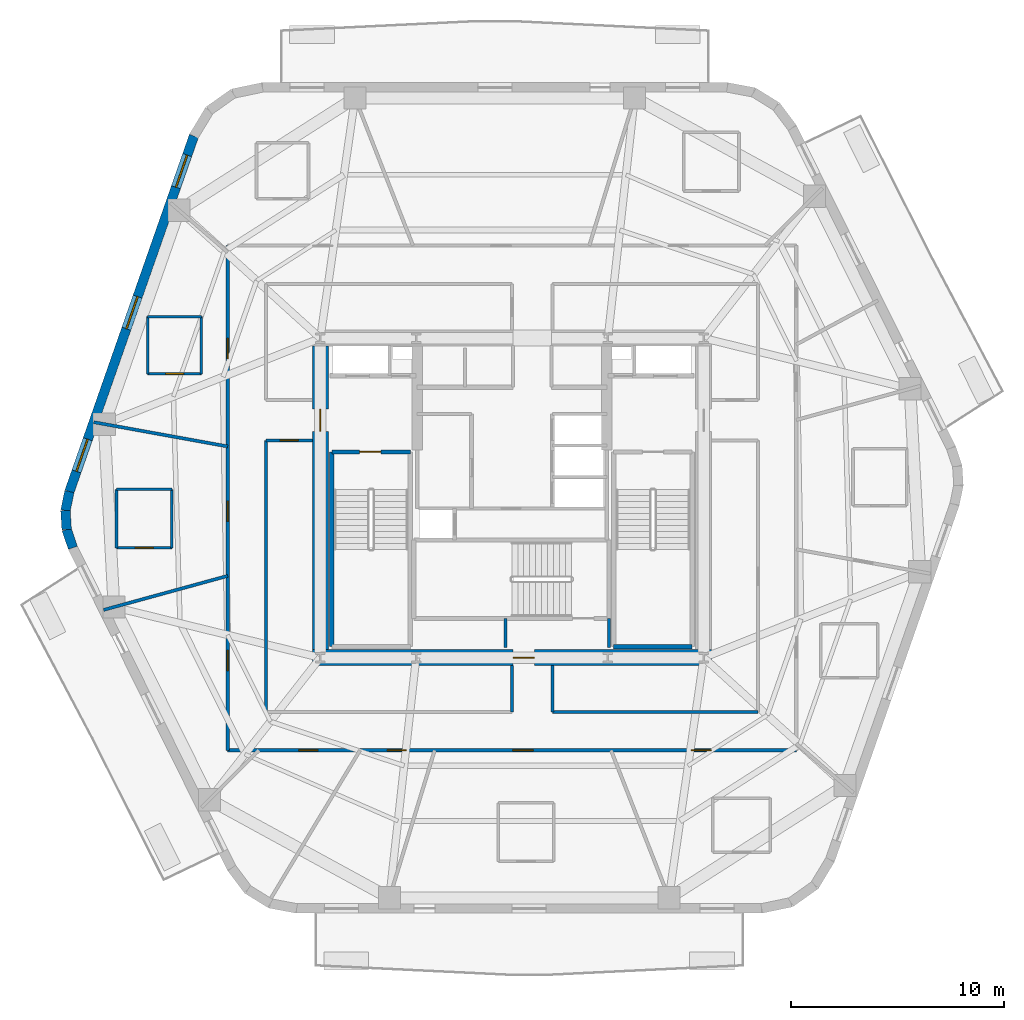
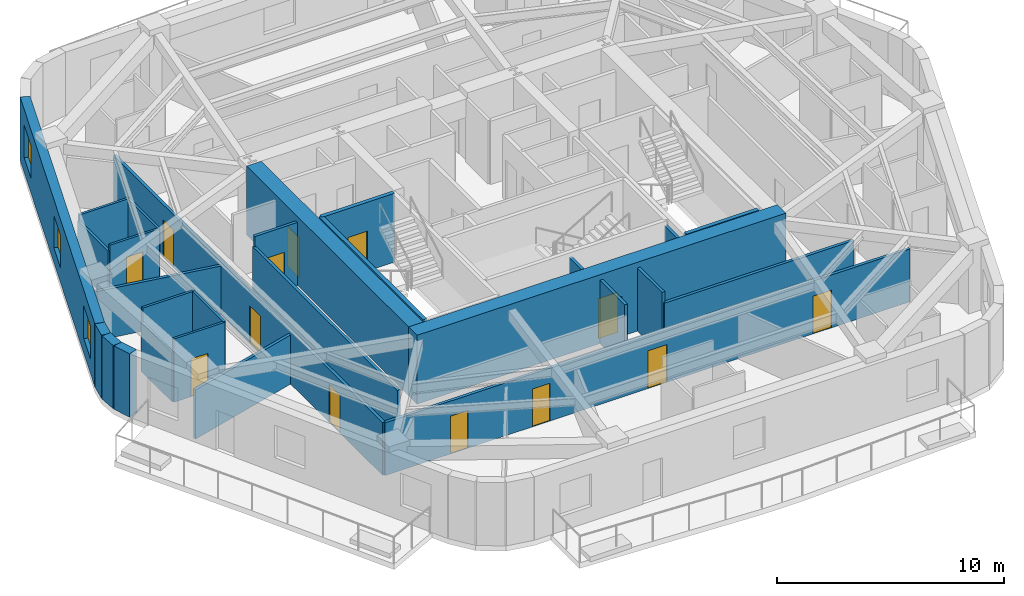
# One storey, part 3 of 10: 28 walls, 13 doors, 3 windows, 16 openings.
"""IFC4 building model written with IfcOpenShell, lengths in metres."""

from ifc_helpers import new_model, si_unit, direction, frame, frame_2d, origin, place, context, subcontext, project, spatial, rectangle, extrude, material, layer, layer_set, type_object, element, fill, save


model = new_model("IFC4")

# Units and contexts
model_context = context("Model", 3, precision=1e-05, world=origin(), true_north=direction((0.0, 1.0)))
body_context = subcontext(model_context, "Body", "Model", "MODEL_VIEW")
ifc_project = project(units=[si_unit("LENGTHUNIT", "METRE"), si_unit("AREAUNIT", "SQUARE_METRE"), si_unit("VOLUMEUNIT", "CUBIC_METRE"), si_unit("PLANEANGLEUNIT", "RADIAN"), si_unit("MASSUNIT", "GRAM", prefix="KILO")], contexts=[model_context])

# Site, building, storey
site_placement = place(None, origin())
site = spatial("IfcSite", under=ifc_project, at=site_placement, CompositionType="ELEMENT")
building_placement = place(site_placement, origin())
building = spatial("IfcBuilding", under=site, at=building_placement, Name="Kilnhurst Terrace Hotel", CompositionType="ELEMENT")
storey_placement = place(building_placement, frame((0.0, 0.0, 186.699951171875)))
storey = spatial("IfcBuildingStorey", under=building, at=storey_placement, Name="L46", CompositionType="ELEMENT", Elevation=186.699951171875)

# Walls
ifc_material_1 = material(Name="Precast concrete C40/50", Category="concrete")
ifc_layer_1 = layer(ifc_material_1, 0.449951171875, Name="Precast concrete C40/50")
ifc_layer_set_1 = layer_set([ifc_layer_1], Name="Precast concrete C40/50")
wall_type_1 = type_object("IfcWallType", Name="WL-BRK-450", PredefinedType="SOLIDWALL", material=ifc_layer_set_1)
wall_1_placement = place(storey_placement, frame((-20.78173828125, 0.298095703125, 0.0), z_axis=(0.0, 0.0, 1.0), x_axis=(-0.202570068411, -0.979267771033, 0.0)))
element("IfcWall", 1, at=wall_1_placement, inside=storey, type_object=wall_type_1, Name="L46 Rounded Corner Brick Wall C6.1", PredefinedType="SOLIDWALL", context=body_context, shape_type="SweptSolid", body=[
    extrude(rectangle(XDim=0.90869140625, YDim=0.449951171875, at=frame_2d((0.454345703125, 0.0))), origin(), (0.0, 0.0, 1.0), 3.400146484375),
])
wall_2_placement = place(storey_placement, frame((-20.9658203125, -0.591796875, 0.0), z_axis=(0.0, 0.0, 1.0), x_axis=(0.061748898935, -0.998091715966, 0.0)))
element("IfcWall", 2, at=wall_2_placement, inside=storey, type_object=wall_type_1, Name="L46 Rounded Corner Brick Wall C6.2", PredefinedType="SOLIDWALL", context=body_context, shape_type="SweptSolid", body=[
    extrude(rectangle(XDim=0.8935546875, YDim=0.449951171875, at=frame_2d((0.44677734375, 0.0))), origin(), (0.0, 0.0, 1.0), 3.400146484375),
])
wall_3_placement = place(storey_placement, frame((-20.91064453125, -1.483642578125, 0.0), z_axis=(0.0, 0.0, 1.0), x_axis=(0.321623334353, -0.946867694453, 0.0)))
element("IfcWall", 3, at=wall_3_placement, inside=storey, type_object=wall_type_1, Name="L46 Rounded Corner Brick Wall C6.3", PredefinedType="SOLIDWALL", context=body_context, shape_type="SweptSolid", body=[
    extrude(rectangle(XDim=0.90869140625, YDim=0.449951171875, at=frame_2d((0.454345703125, 0.0))), origin(), (0.0, 0.0, 1.0), 3.400146484375),
])

# Wall, openings, windows
wall_4_placement = place(storey_placement, frame((-14.936767578125, 16.993408203125, 0.0), z_axis=(0.0, 0.0, 1.0), x_axis=(-0.330431575061, -0.943829949834, 0.0)))
wall_4 = element("IfcWall", 4, at=wall_4_placement, inside=storey, type_object=wall_type_1, Name="L46 Exterior Brick Facade Wall F5", PredefinedType="SOLIDWALL", context=body_context, shape_type="SweptSolid", body=[
    extrude(rectangle(XDim=17.68896484375, YDim=0.449951171875, at=frame_2d((8.844482421875, 0.0))), origin(), (0.0, 0.0, 1.0), 3.400146484375),
])
opening_1_placement = place(wall_4_placement, frame((0.949951171875, 0.0, 0.800048828125)))
opening_1 = element("IfcOpeningElement", 5, at=opening_1_placement, cuts=wall_4, Name="Opening W-05", PredefinedType="OPENING", context=body_context, shape_type="SweptSolid", body=[
    extrude(rectangle(XDim=1.60009765625, YDim=1.75, at=frame_2d((0.800048828125, 0.875))), frame((0.0, 0.23486328125, 0.0), z_axis=(0.0, -1.0, 0.0), x_axis=(1.0, 0.0, 0.0)), (0.0, 0.0, 1.0), 0.469970703125),
])
opening_2_placement = place(wall_4_placement, frame((7.989990234375, 0.0, 0.800048828125)))
opening_2 = element("IfcOpeningElement", 6, at=opening_2_placement, cuts=wall_4, Name="Opening W-05", PredefinedType="OPENING", context=body_context, shape_type="SweptSolid", body=[
    extrude(rectangle(XDim=1.60009765625, YDim=1.75, at=frame_2d((0.800048828125, 0.875))), frame((0.0, 0.23486328125, 0.0), z_axis=(0.0, -1.0, 0.0), x_axis=(1.0, 0.0, 0.0)), (0.0, 0.0, 1.0), 0.469970703125),
])
opening_3_placement = place(wall_4_placement, frame((15.083984375, 0.0, 0.800048828125)))
opening_3 = element("IfcOpeningElement", 7, at=opening_3_placement, cuts=wall_4, Name="Opening W-05", PredefinedType="OPENING", context=body_context, shape_type="SweptSolid", body=[
    extrude(rectangle(XDim=1.60009765625, YDim=1.75, at=frame_2d((0.800048828125, 0.875))), frame((0.0, 0.23486328125, 0.0), z_axis=(0.0, -1.0, 0.0), x_axis=(1.0, 0.0, 0.0)), (0.0, 0.0, 1.0), 0.469970703125),
])
ifc_material_2 = material(Name="Thermally Broken Bronze Aluminium Alloy 6063-T6 and Low-E Glass", Category="aluminium")
window_type = type_object("IfcWindowType", Name="WIN-1600X1750", PartitioningType="SINGLE_PANEL", PredefinedType="WINDOW", material=ifc_material_2)
window_1_placement = place(opening_1_placement, origin())
window_1 = element("IfcWindow", 8, at=window_1_placement, inside=storey, type_object=window_type, Name="L46 Deep-Set Masonry Window F5.1", OverallHeight=1.75, OverallWidth=1.60009765625, PartitioningType="SINGLE_PANEL", PredefinedType="WINDOW", context=body_context, shape_type="SweptSolid", body=[
    extrude(rectangle(XDim=1.60009765625, YDim=1.75, at=frame_2d((0.800048828125, 0.875))), frame((0.0, 0.030029296875, 0.0), z_axis=(0.0, -1.0, 0.0), x_axis=(1.0, 0.0, 0.0)), (0.0, 0.0, 1.0), 0.06005859375),
])
fill(opening_1, window_1)
window_2_placement = place(opening_2_placement, origin())
window_2 = element("IfcWindow", 9, at=window_2_placement, inside=storey, type_object=window_type, Name="L46 Deep-Set Masonry Window F5.2", OverallHeight=1.75, OverallWidth=1.60009765625, PartitioningType="SINGLE_PANEL", PredefinedType="WINDOW", context=body_context, shape_type="SweptSolid", body=[
    extrude(rectangle(XDim=1.60009765625, YDim=1.75, at=frame_2d((0.800048828125, 0.875))), frame((0.0, 0.030029296875, 0.0), z_axis=(0.0, -1.0, 0.0), x_axis=(1.0, 0.0, 0.0)), (0.0, 0.0, 1.0), 0.06005859375),
])
fill(opening_2, window_2)
window_3_placement = place(opening_3_placement, origin())
window_3 = element("IfcWindow", 10, at=window_3_placement, inside=storey, type_object=window_type, Name="L46 Deep-Set Masonry Window F5.3", OverallHeight=1.75, OverallWidth=1.60009765625, PartitioningType="SINGLE_PANEL", PredefinedType="WINDOW", context=body_context, shape_type="SweptSolid", body=[
    extrude(rectangle(XDim=1.60009765625, YDim=1.75, at=frame_2d((0.800048828125, 0.875))), frame((0.0, 0.030029296875, 0.0), z_axis=(0.0, -1.0, 0.0), x_axis=(1.0, 0.0, 0.0)), (0.0, 0.0, 1.0), 0.06005859375),
])
fill(opening_3, window_3)

# Wall, openings, doors
ifc_material_3 = material(Name="Acoustic Double-Gypsum Corridor Partition Assembly")
ifc_layer_2 = layer(ifc_material_3, 0.14990234375, Name="Acoustic Double-Gypsum Corridor Partition Assembly")
ifc_layer_set_2 = layer_set([ifc_layer_2], Name="Acoustic Double-Gypsum Corridor Partition Assembly")
wall_type_2 = type_object("IfcWallType", Name="WL-COR-150", PredefinedType="PARTITIONING", material=ifc_layer_set_2)
wall_5_placement = place(storey_placement, frame((13.35009765625, -11.85009765625, 0.0), z_axis=(0.0, 0.0, 1.0), x_axis=(-1.0, 0.0, 0.0)))
wall_5 = element("IfcWall", 11, at=wall_5_placement, inside=storey, type_object=wall_type_2, Name="L46 Interior Wall WL-L46-COR-01", PredefinedType="PARTITIONING", context=body_context, shape_type="SweptSolid", body=[
    extrude(rectangle(XDim=26.7001953125, YDim=0.14990234375, at=frame_2d((13.35009765625, 0.0))), origin(), (0.0, 0.0, 1.0), 2.840087890625),
])
opening_4_placement = place(wall_5_placement, frame((22.458984375, 0.0, 0.0)))
opening_4 = element("IfcOpeningElement", 12, at=opening_4_placement, cuts=wall_5, Name="Opening D-60C", PredefinedType="OPENING", context=body_context, shape_type="SweptSolid", body=[
    extrude(rectangle(XDim=0.89990234375, YDim=2.030029296875, at=frame_2d((0.449951171875, 1.01513671875))), frame((0.0, 0.0849609375, 0.0), z_axis=(0.0, -1.0, 0.0), x_axis=(1.0, 0.0, 0.0)), (0.0, 0.0, 1.0), 0.169921875),
])
opening_5_placement = place(wall_5_placement, frame((18.303955078125, 0.0, 0.0)))
opening_5 = element("IfcOpeningElement", 13, at=opening_5_placement, cuts=wall_5, Name="Opening D-60C", PredefinedType="OPENING", context=body_context, shape_type="SweptSolid", body=[
    extrude(rectangle(XDim=0.89990234375, YDim=2.030029296875, at=frame_2d((0.449951171875, 1.01513671875))), frame((0.0, 0.0849609375, 0.0), z_axis=(0.0, -1.0, 0.0), x_axis=(1.0, 0.0, 0.0)), (0.0, 0.0, 1.0), 0.169921875),
])
opening_6_placement = place(wall_5_placement, frame((12.362060546875, 0.0, 0.0)))
opening_6 = element("IfcOpeningElement", 14, at=opening_6_placement, cuts=wall_5, Name="Opening D-60B", PredefinedType="OPENING", context=body_context, shape_type="SweptSolid", body=[
    extrude(rectangle(XDim=0.949951171875, YDim=2.030029296875, at=frame_2d((0.47509765625, 1.01513671875))), frame((0.0, 0.0849609375, 0.0), z_axis=(0.0, -1.0, 0.0), x_axis=(1.0, 0.0, 0.0)), (0.0, 0.0, 1.0), 0.169921875),
])
opening_7_placement = place(wall_5_placement, frame((3.9951171875, 0.0, 0.0)))
opening_7 = element("IfcOpeningElement", 15, at=opening_7_placement, cuts=wall_5, Name="Opening D-60B", PredefinedType="OPENING", context=body_context, shape_type="SweptSolid", body=[
    extrude(rectangle(XDim=0.949951171875, YDim=2.030029296875, at=frame_2d((0.47509765625, 1.01513671875))), frame((0.0, 0.0849609375, 0.0), z_axis=(0.0, -1.0, 0.0), x_axis=(1.0, 0.0, 0.0)), (0.0, 0.0, 1.0), 0.169921875),
])
ifc_material_4 = material(Name="Painted Solid-Core Service Fire Door")
door_type_1 = type_object("IfcDoorType", Name="DR-FD60-900", OperationType="NOTDEFINED", PredefinedType="DOOR", material=ifc_material_4)
door_1_placement = place(opening_4_placement, origin())
door_1 = element("IfcDoor", 16, at=door_1_placement, inside=storey, type_object=door_type_1, Name="L46 Botanical Reading Lounge Door 9", OperationType="SINGLE_SWING_LEFT", OverallHeight=2.030029296875, OverallWidth=0.89990234375, PredefinedType="DOOR", context=body_context, shape_type="SweptSolid", body=[
    extrude(rectangle(XDim=0.89990234375, YDim=2.030029296875, at=frame_2d((0.449951171875, 1.01513671875))), frame((0.0, 0.02490234375, 0.0), z_axis=(0.0, -1.0, 0.0), x_axis=(1.0, 0.0, 0.0)), (0.0, 0.0, 1.0), 0.050048828125),
])
fill(opening_4, door_1)
door_2_placement = place(opening_5_placement, origin())
door_2 = element("IfcDoor", 17, at=door_2_placement, inside=storey, type_object=door_type_1, Name="L46 Private Meeting Salon Door 10", OperationType="SINGLE_SWING_RIGHT", OverallHeight=2.030029296875, OverallWidth=0.89990234375, PredefinedType="DOOR", context=body_context, shape_type="SweptSolid", body=[
    extrude(rectangle(XDim=0.89990234375, YDim=2.030029296875, at=frame_2d((0.449951171875, 1.01513671875))), frame((0.0, 0.02490234375, 0.0), z_axis=(0.0, -1.0, 0.0), x_axis=(1.0, 0.0, 0.0)), (0.0, 0.0, 1.0), 0.050048828125),
])
fill(opening_5, door_2)
ifc_material_5 = material(Name="Acoustic Walnut Veneer Solid-Core Fire Door")
door_type_2 = type_object("IfcDoorType", Name="DR-FD60-950", OperationType="NOTDEFINED", PredefinedType="DOOR", material=ifc_material_5)
door_3_placement = place(opening_6_placement, origin())
door_3 = element("IfcDoor", 18, at=door_3_placement, inside=storey, type_object=door_type_2, Name="L46 Executive Suite Entry Door 11", OperationType="SINGLE_SWING_LEFT", OverallHeight=2.030029296875, OverallWidth=0.949951171875, PredefinedType="DOOR", context=body_context, shape_type="SweptSolid", body=[
    extrude(rectangle(XDim=0.949951171875, YDim=2.030029296875, at=frame_2d((0.47509765625, 1.01513671875))), frame((0.0, 0.02490234375, 0.0), z_axis=(0.0, -1.0, 0.0), x_axis=(1.0, 0.0, 0.0)), (0.0, 0.0, 1.0), 0.050048828125),
])
fill(opening_6, door_3)
door_4_placement = place(opening_7_placement, origin())
door_4 = element("IfcDoor", 19, at=door_4_placement, inside=storey, type_object=door_type_2, Name="L46 Executive Suite Entry Door 12", OperationType="SINGLE_SWING_RIGHT", OverallHeight=2.030029296875, OverallWidth=0.949951171875, PredefinedType="DOOR", context=body_context, shape_type="SweptSolid", body=[
    extrude(rectangle(XDim=0.949951171875, YDim=2.030029296875, at=frame_2d((0.47509765625, 1.01513671875))), frame((0.0, 0.02490234375, 0.0), z_axis=(0.0, -1.0, 0.0), x_axis=(1.0, 0.0, 0.0)), (0.0, 0.0, 1.0), 0.050048828125),
])
fill(opening_7, door_4)

wall_6_placement = place(storey_placement, frame((-13.35009765625, -11.85009765625, 0.0), z_axis=(0.0, 0.0, 1.0), x_axis=(0.0, 1.0, 0.0)))
wall_6 = element("IfcWall", 20, at=wall_6_placement, inside=storey, type_object=wall_type_2, Name="L46 Interior Wall WL-L46-COR-02", PredefinedType="PARTITIONING", context=body_context, shape_type="SweptSolid", body=[
    extrude(rectangle(XDim=23.7001953125, YDim=0.14990234375, at=frame_2d((11.85009765625, 0.0))), origin(), (0.0, 0.0, 1.0), 2.840087890625),
])
opening_8_placement = place(wall_6_placement, frame((18.388916015625, 0.0, 0.0)))
opening_8 = element("IfcOpeningElement", 21, at=opening_8_placement, cuts=wall_6, Name="Opening D-60B", PredefinedType="OPENING", context=body_context, shape_type="SweptSolid", body=[
    extrude(rectangle(XDim=0.949951171875, YDim=2.030029296875, at=frame_2d((0.47509765625, 1.01513671875))), frame((0.0, 0.0849609375, 0.0), z_axis=(0.0, -1.0, 0.0), x_axis=(1.0, 0.0, 0.0)), (0.0, 0.0, 1.0), 0.169921875),
])
opening_9_placement = place(wall_6_placement, frame((10.7509765625, 0.0, 0.0)))
opening_9 = element("IfcOpeningElement", 22, at=opening_9_placement, cuts=wall_6, Name="Opening D-60B", PredefinedType="OPENING", context=body_context, shape_type="SweptSolid", body=[
    extrude(rectangle(XDim=0.949951171875, YDim=2.030029296875, at=frame_2d((0.47509765625, 1.01513671875))), frame((0.0, 0.0849609375, 0.0), z_axis=(0.0, -1.0, 0.0), x_axis=(1.0, 0.0, 0.0)), (0.0, 0.0, 1.0), 0.169921875),
])
opening_10_placement = place(wall_6_placement, frame((3.739990234375, 0.0, 0.0)))
opening_10 = element("IfcOpeningElement", 23, at=opening_10_placement, cuts=wall_6, Name="Opening D-60B", PredefinedType="OPENING", context=body_context, shape_type="SweptSolid", body=[
    extrude(rectangle(XDim=0.949951171875, YDim=2.030029296875, at=frame_2d((0.47509765625, 1.01513671875))), frame((0.0, 0.0849609375, 0.0), z_axis=(0.0, -1.0, 0.0), x_axis=(1.0, 0.0, 0.0)), (0.0, 0.0, 1.0), 0.169921875),
])
door_5_placement = place(opening_8_placement, origin())
door_5 = element("IfcDoor", 24, at=door_5_placement, inside=storey, type_object=door_type_2, Name="L46 Guest Room Entry Door 6", OperationType="SINGLE_SWING_RIGHT", OverallHeight=2.030029296875, OverallWidth=0.949951171875, PredefinedType="DOOR", context=body_context, shape_type="SweptSolid", body=[
    extrude(rectangle(XDim=0.949951171875, YDim=2.030029296875, at=frame_2d((0.47509765625, 1.01513671875))), frame((0.0, 0.02490234375, 0.0), z_axis=(0.0, -1.0, 0.0), x_axis=(1.0, 0.0, 0.0)), (0.0, 0.0, 1.0), 0.050048828125),
])
fill(opening_8, door_5)
door_6_placement = place(opening_9_placement, origin())
door_6 = element("IfcDoor", 25, at=door_6_placement, inside=storey, type_object=door_type_2, Name="L46 Executive Suite Entry Door 7", OperationType="SINGLE_SWING_LEFT", OverallHeight=2.030029296875, OverallWidth=0.949951171875, PredefinedType="DOOR", context=body_context, shape_type="SweptSolid", body=[
    extrude(rectangle(XDim=0.949951171875, YDim=2.030029296875, at=frame_2d((0.47509765625, 1.01513671875))), frame((0.0, 0.02490234375, 0.0), z_axis=(0.0, -1.0, 0.0), x_axis=(1.0, 0.0, 0.0)), (0.0, 0.0, 1.0), 0.050048828125),
])
fill(opening_9, door_6)
door_7_placement = place(opening_10_placement, origin())
door_7 = element("IfcDoor", 26, at=door_7_placement, inside=storey, type_object=door_type_2, Name="L46 Fitness Studio Door", OperationType="SINGLE_SWING_RIGHT", OverallHeight=2.030029296875, OverallWidth=0.949951171875, PredefinedType="DOOR", context=body_context, shape_type="SweptSolid", body=[
    extrude(rectangle(XDim=0.949951171875, YDim=2.030029296875, at=frame_2d((0.47509765625, 1.01513671875))), frame((0.0, 0.02490234375, 0.0), z_axis=(0.0, -1.0, 0.0), x_axis=(1.0, 0.0, 0.0)), (0.0, 0.0, 1.0), 0.050048828125),
])
fill(opening_10, door_7)

# Wall, opening, door
wall_7_placement = place(storey_placement, frame((-9.375, 2.699951171875, 0.0), z_axis=(0.0, 0.0, 1.0), x_axis=(-1.0, 0.0, 0.0)))
wall_7 = element("IfcWall", 27, at=wall_7_placement, inside=storey, type_object=wall_type_2, Name="L46 Interior Wall WL-L46-COR-15", PredefinedType="PARTITIONING", context=body_context, shape_type="SweptSolid", body=[
    extrude(rectangle(XDim=2.175048828125, YDim=0.14990234375, at=frame_2d((1.08740234375, 0.0))), origin(), (0.0, 0.0, 1.0), 3.400146484375),
])
opening_11_placement = place(wall_7_placement, frame((0.6630859375, 0.0, 0.0)))
opening_11 = element("IfcOpeningElement", 28, at=opening_11_placement, cuts=wall_7, Name="Opening D-60D", PredefinedType="OPENING", context=body_context, shape_type="SweptSolid", body=[
    extrude(rectangle(XDim=0.85009765625, YDim=2.030029296875, at=frame_2d((0.425048828125, 1.01513671875))), frame((0.0, 0.0849609375, 0.0), z_axis=(0.0, -1.0, 0.0), x_axis=(1.0, 0.0, 0.0)), (0.0, 0.0, 1.0), 0.169921875),
])
ifc_material_6 = material(Name="Painted Hollow Metal Steel ASTM A36 Riser Door", Category="steel")
door_type_3 = type_object("IfcDoorType", Name="DR-FD60-850", OperationType="NOTDEFINED", PredefinedType="DOOR", material=ifc_material_6)
door_8_placement = place(opening_11_placement, origin())
door_8 = element("IfcDoor", 29, at=door_8_placement, inside=storey, type_object=door_type_3, Name="L46 Floor Linen Storage Room Door", OperationType="SINGLE_SWING_LEFT", OverallHeight=2.030029296875, OverallWidth=0.85009765625, PredefinedType="DOOR", context=body_context, shape_type="SweptSolid", body=[
    extrude(rectangle(XDim=0.85009765625, YDim=2.030029296875, at=frame_2d((0.425048828125, 1.01513671875))), frame((0.0, 0.02490234375, 0.0), z_axis=(0.0, -1.0, 0.0), x_axis=(1.0, 0.0, 0.0)), (0.0, 0.0, 1.0), 0.050048828125),
])
fill(opening_11, door_8)

# Walls
wall_8_placement = place(storey_placement, frame((-11.550048828125, 2.699951171875, 0.0), z_axis=(0.0, 0.0, 1.0), x_axis=(0.0, -1.0, 0.0)))
element("IfcWall", 30, at=wall_8_placement, inside=storey, type_object=wall_type_2, Name="L46 Interior Wall WL-L46-COR-16", PredefinedType="PARTITIONING", context=body_context, shape_type="SweptSolid", body=[
    extrude(rectangle(XDim=12.75, YDim=0.14990234375, at=frame_2d((6.375, 0.0))), origin(), (0.0, 0.0, 1.0), 2.840087890625),
])
for number, where, z_axis, x_axis, name in (
    (31, (0.0, -10.050048828125, 0.0), (0.0, 0.0, 1.0), (0.0, 1.0, 0.0), "L46 Interior Wall WL-L46-COR-18"),
    (32, (1.89990234375, -7.875, 0.0), (0.0, 0.0, 1.0), (0.0, -1.0, 0.0), "L46 Interior Wall WL-L46-COR-19"),
):
    element("IfcWall", number, at=place(storey_placement, frame(where, z_axis=z_axis, x_axis=x_axis)), inside=storey, type_object=wall_type_2, Name=name, PredefinedType="PARTITIONING", context=body_context, shape_type="SweptSolid", body=[
        extrude(rectangle(XDim=2.175048828125, YDim=0.14990234375, at=frame_2d((1.08740234375, 0.0))), origin(), (0.0, 0.0, 1.0), 3.400146484375),
    ])
wall_9_placement = place(storey_placement, frame((1.89990234375, -10.050048828125, 0.0), z_axis=(0.0, 0.0, 1.0), x_axis=(1.0, 0.0, 0.0)))
element("IfcWall", 33, at=wall_9_placement, inside=storey, type_object=wall_type_2, Name="L46 Interior Wall WL-L46-COR-20", PredefinedType="PARTITIONING", context=body_context, shape_type="SweptSolid", body=[
    extrude(rectangle(XDim=9.650146484375, YDim=0.14990234375, at=frame_2d((4.8251953125, 0.0))), origin(), (0.0, 0.0, 1.0), 2.840087890625),
])

# Wall, opening, door
ifc_material_7 = material(Name="Concrete C60/75", Category="concrete")
ifc_layer_3 = layer(ifc_material_7, 0.75, Name="Concrete C60/75")
ifc_layer_set_3 = layer_set([ifc_layer_3], Name="Concrete C60/75")
wall_type_3 = type_object("IfcWallType", Name="WL-CORE-750", PredefinedType="SHEAR", material=ifc_layer_set_3)
wall_10_placement = place(storey_placement, frame((-9.375, -7.5, 0.0), z_axis=(0.0, 0.0, 1.0), x_axis=(1.0, 0.0, 0.0)))
wall_10 = element("IfcWall", 34, at=wall_10_placement, inside=storey, type_object=wall_type_3, Name="L46 Core South Shear Wall", PredefinedType="SHEAR", context=body_context, shape_type="SweptSolid", body=[
    extrude(rectangle(XDim=18.75, YDim=0.75, at=frame_2d((9.375, 0.0))), origin(), (0.0, 0.0, 1.0), 3.699951171875),
])
opening_12_placement = place(wall_10_placement, frame((9.425048828125, 0.0, 0.0)))
opening_12 = element("IfcOpeningElement", 35, at=opening_12_placement, cuts=wall_10, Name="Opening D-90B", PredefinedType="OPENING", context=body_context, shape_type="SweptSolid", body=[
    extrude(rectangle(XDim=1.0, YDim=2.14990234375, at=frame_2d((0.5, 1.074951171875))), frame((0.0, 0.385009765625, 0.0), z_axis=(0.0, -1.0, 0.0), x_axis=(1.0, 0.0, 0.0)), (0.0, 0.0, 1.0), 0.77001953125),
])
ifc_material_8 = material(Name="Painted Hollow Metal Steel ASTM A36 Fire Door", Category="steel")
door_type_4 = type_object("IfcDoorType", Name="DR-FD90-1000", OperationType="NOTDEFINED", PredefinedType="DOOR", material=ifc_material_8)
door_9_placement = place(opening_12_placement, origin())
door_9 = element("IfcDoor", 36, at=door_9_placement, inside=storey, type_object=door_type_4, Name="L46 Stair ST-3 Corridor Door", OperationType="SINGLE_SWING_RIGHT", OverallHeight=2.14990234375, OverallWidth=1.0, PredefinedType="DOOR", context=body_context, shape_type="SweptSolid", body=[
    extrude(rectangle(XDim=1.0, YDim=2.14990234375, at=frame_2d((0.5, 1.074951171875))), frame((0.0, 0.02490234375, 0.0), z_axis=(0.0, -1.0, 0.0), x_axis=(1.0, 0.0, 0.0)), (0.0, 0.0, 1.0), 0.050048828125),
])
fill(opening_12, door_9)

wall_11_placement = place(storey_placement, frame((-9.0, -7.125, 0.0), z_axis=(0.0, 0.0, 1.0), x_axis=(0.0, 1.0, 0.0)))
wall_11 = element("IfcWall", 37, at=wall_11_placement, inside=storey, type_object=wall_type_3, Name="L46 Core West Shear Wall", PredefinedType="SHEAR", context=body_context, shape_type="SweptSolid", body=[
    extrude(rectangle(XDim=14.25, YDim=0.75, at=frame_2d((7.125, 0.0))), origin(), (0.0, 0.0, 1.0), 3.699951171875),
])
opening_13_placement = place(wall_11_placement, frame((10.25, 0.0, 0.0)))
opening_13 = element("IfcOpeningElement", 38, at=opening_13_placement, cuts=wall_11, Name="Opening D-90A", PredefinedType="OPENING", context=body_context, shape_type="SweptSolid", body=[
    extrude(rectangle(XDim=1.050048828125, YDim=2.14990234375, at=frame_2d((0.52490234375, 1.074951171875))), frame((0.0, 0.385009765625, 0.0), z_axis=(0.0, -1.0, 0.0), x_axis=(1.0, 0.0, 0.0)), (0.0, 0.0, 1.0), 0.77001953125),
])
door_type_5 = type_object("IfcDoorType", Name="DR-FD90-1050", OperationType="NOTDEFINED", PredefinedType="DOOR", material=ifc_material_8)
door_10_placement = place(opening_13_placement, origin())
door_10 = element("IfcDoor", 39, at=door_10_placement, inside=storey, type_object=door_type_5, Name="L46 West Firefighting Lobby Door", OperationType="SINGLE_SWING_RIGHT", OverallHeight=2.14990234375, OverallWidth=1.050048828125, PredefinedType="DOOR", context=body_context, shape_type="SweptSolid", body=[
    extrude(rectangle(XDim=1.050048828125, YDim=2.14990234375, at=frame_2d((0.52490234375, 1.074951171875))), frame((0.0, 0.02490234375, 0.0), z_axis=(0.0, -1.0, 0.0), x_axis=(1.0, 0.0, 0.0)), (0.0, 0.0, 1.0), 0.050048828125),
])
fill(opening_13, door_10)

# Walls
ifc_material_9 = material(Name="STC-58 Acoustic Twin-Frame Guestroom Demising Partition")
ifc_layer_4 = layer(ifc_material_9, 0.14990234375, Name="STC-58 Acoustic Twin-Frame Guestroom Demising Partition")
ifc_layer_set_4 = layer_set([ifc_layer_4], Name="STC-58 Acoustic Twin-Frame Guestroom Demising Partition")
wall_type_4 = type_object("IfcWallType", Name="WL-DEM-150", PredefinedType="PARTITIONING", material=ifc_layer_set_4)
wall_12_placement = place(storey_placement, frame((-13.35009765625, 2.417236328125, 0.0), z_axis=(0.0, 0.0, 1.0), x_axis=(-0.98399796473, 0.178179699761, 0.0)))
element("IfcWall", 40, at=wall_12_placement, inside=storey, type_object=wall_type_4, Name="L46 Interior Wall WL-L46-DEM-COL06-07-1", PredefinedType="PARTITIONING", context=body_context, shape_type="SweptSolid", body=[
    extrude(rectangle(XDim=6.393310546875, YDim=0.14990234375, at=frame_2d((3.19677734375, 0.0))), origin(), (0.0, 0.0, 1.0), 2.64013671875),
])
wall_13_placement = place(storey_placement, frame((-13.35009765625, -3.66064453125, 0.0), z_axis=(0.0, 0.0, 1.0), x_axis=(-0.964397145454, -0.264458211898, 0.0)))
element("IfcWall", 41, at=wall_13_placement, inside=storey, type_object=wall_type_4, Name="L46 Interior Wall WL-L46-DEM-COL07-08-1", PredefinedType="PARTITIONING", context=body_context, shape_type="SweptSolid", body=[
    extrude(rectangle(XDim=6.03857421875, YDim=0.14990234375, at=frame_2d((3.019287109375, 0.0))), origin(), (0.0, 0.0, 1.0), 2.64013671875),
])

# Wall, opening, door
ifc_material_10 = material(Name="120 mm Moisture-Resistant Tile-Backed Bathroom Partition")
ifc_layer_5 = layer(ifc_material_10, 0.1201171875, Name="120 mm Moisture-Resistant Tile-Backed Bathroom Partition")
ifc_layer_set_5 = layer_set([ifc_layer_5], Name="120 mm Moisture-Resistant Tile-Backed Bathroom Partition")
wall_type_5 = type_object("IfcWallType", Name="WL-PART-120", PredefinedType="PARTITIONING", material=ifc_layer_set_5)
wall_14_placement = place(storey_placement, frame((-17.10302734375, 5.8291015625, 0.0), z_axis=(0.0, 0.0, 1.0), x_axis=(1.0, 0.0, 0.0)))
wall_14 = element("IfcWall", 42, at=wall_14_placement, inside=storey, type_object=wall_type_5, Name="L46 Interior Wall WL-L46-BTH-06-1", PredefinedType="PARTITIONING", context=body_context, shape_type="SweptSolid", body=[
    extrude(rectangle(XDim=2.52001953125, YDim=0.1201171875, at=frame_2d((1.260009765625, 0.0))), origin(), (0.0, 0.0, 1.0), 2.972412109375),
])
opening_14_placement = place(wall_14_placement, frame((0.8349609375, 0.0, 0.0)))
opening_14 = element("IfcOpeningElement", 43, at=opening_14_placement, cuts=wall_14, Name="Opening D-08A", PredefinedType="OPENING", context=body_context, shape_type="SweptSolid", body=[
    extrude(rectangle(XDim=0.85009765625, YDim=2.030029296875, at=frame_2d((0.425048828125, 1.01513671875))), frame((0.0, 0.070068359375, 0.0), z_axis=(0.0, -1.0, 0.0), x_axis=(1.0, 0.0, 0.0)), (0.0, 0.0, 1.0), 0.14013671875),
])
ifc_material_11 = material(Name="Moisture-Resistant Lacquered En-suite Bathroom Door")
door_type_6 = type_object("IfcDoorType", Name="DR-INT-850", OperationType="NOTDEFINED", PredefinedType="DOOR", material=ifc_material_11)
door_11_placement = place(opening_14_placement, origin())
door_11 = element("IfcDoor", 44, at=door_11_placement, inside=storey, type_object=door_type_6, Name="L46 En-suite Bathroom Door 6", OperationType="SINGLE_SWING_LEFT", OverallHeight=2.030029296875, OverallWidth=0.85009765625, PredefinedType="DOOR", context=body_context, shape_type="SweptSolid", body=[
    extrude(rectangle(XDim=0.85009765625, YDim=2.030029296875, at=frame_2d((0.425048828125, 1.01513671875))), frame((0.0, 0.02490234375, 0.0), z_axis=(0.0, -1.0, 0.0), x_axis=(1.0, 0.0, 0.0)), (0.0, 0.0, 1.0), 0.050048828125),
])
fill(opening_14, door_11)

# Walls
wall_15_placement = place(storey_placement, frame((-14.5830078125, 5.8291015625, 0.0), z_axis=(0.0, 0.0, 1.0), x_axis=(0.0, 1.0, 0.0)))
element("IfcWall", 45, at=wall_15_placement, inside=storey, type_object=wall_type_5, Name="L46 Interior Wall WL-L46-BTH-06-2", PredefinedType="PARTITIONING", context=body_context, shape_type="SweptSolid", body=[
    extrude(rectangle(XDim=2.679931640625, YDim=0.1201171875, at=frame_2d((1.33984375, 0.0))), origin(), (0.0, 0.0, 1.0), 2.972412109375),
])
wall_16_placement = place(storey_placement, frame((-14.5830078125, 8.509033203125, 0.0), z_axis=(0.0, 0.0, 1.0), x_axis=(-1.0, 0.0, 0.0)))
element("IfcWall", 46, at=wall_16_placement, inside=storey, type_object=wall_type_5, Name="L46 Interior Wall WL-L46-BTH-06-3", PredefinedType="PARTITIONING", context=body_context, shape_type="SweptSolid", body=[
    extrude(rectangle(XDim=2.52001953125, YDim=0.1201171875, at=frame_2d((1.260009765625, 0.0))), origin(), (0.0, 0.0, 1.0), 2.972412109375),
])
wall_17_placement = place(storey_placement, frame((-17.10302734375, 8.509033203125, 0.0), z_axis=(0.0, 0.0, 1.0), x_axis=(0.0, -1.0, 0.0)))
element("IfcWall", 47, at=wall_17_placement, inside=storey, type_object=wall_type_5, Name="L46 Interior Wall WL-L46-BTH-06-4", PredefinedType="PARTITIONING", context=body_context, shape_type="SweptSolid", body=[
    extrude(rectangle(XDim=2.679931640625, YDim=0.1201171875, at=frame_2d((1.33984375, 0.0))), origin(), (0.0, 0.0, 1.0), 2.64013671875),
])

# Wall, opening, door
wall_18_placement = place(storey_placement, frame((-18.570068359375, -2.347900390625, 0.0), z_axis=(0.0, 0.0, 1.0), x_axis=(1.0, 0.0, 0.0)))
wall_18 = element("IfcWall", 48, at=wall_18_placement, inside=storey, type_object=wall_type_5, Name="L46 Interior Wall WL-L46-BTH-07-1", PredefinedType="PARTITIONING", context=body_context, shape_type="SweptSolid", body=[
    extrude(rectangle(XDim=2.60009765625, YDim=0.1201171875, at=frame_2d((1.300048828125, 0.0))), origin(), (0.0, 0.0, 1.0), 3.400146484375),
])
opening_15_placement = place(wall_18_placement, frame((0.875, 0.0, 0.0)))
opening_15 = element("IfcOpeningElement", 49, at=opening_15_placement, cuts=wall_18, Name="Opening D-08A", PredefinedType="OPENING", context=body_context, shape_type="SweptSolid", body=[
    extrude(rectangle(XDim=0.85009765625, YDim=2.030029296875, at=frame_2d((0.425048828125, 1.01513671875))), frame((0.0, 0.070068359375, 0.0), z_axis=(0.0, -1.0, 0.0), x_axis=(1.0, 0.0, 0.0)), (0.0, 0.0, 1.0), 0.14013671875),
])
door_12_placement = place(opening_15_placement, origin())
door_12 = element("IfcDoor", 50, at=door_12_placement, inside=storey, type_object=door_type_6, Name="L46 En-suite Bathroom Door 7", OperationType="SINGLE_SWING_RIGHT", OverallHeight=2.030029296875, OverallWidth=0.85009765625, PredefinedType="DOOR", context=body_context, shape_type="SweptSolid", body=[
    extrude(rectangle(XDim=0.85009765625, YDim=2.030029296875, at=frame_2d((0.425048828125, 1.01513671875))), frame((0.0, 0.02490234375, 0.0), z_axis=(0.0, -1.0, 0.0), x_axis=(1.0, 0.0, 0.0)), (0.0, 0.0, 1.0), 0.050048828125),
])
fill(opening_15, door_12)

# Walls
wall_19_placement = place(storey_placement, frame((-15.969970703125, -2.347900390625, 0.0), z_axis=(0.0, 0.0, 1.0), x_axis=(0.0, 1.0, 0.0)))
element("IfcWall", 51, at=wall_19_placement, inside=storey, type_object=wall_type_5, Name="L46 Interior Wall WL-L46-BTH-07-2", PredefinedType="PARTITIONING", context=body_context, shape_type="SweptSolid", body=[
    extrude(rectangle(XDim=2.75, YDim=0.1201171875, at=frame_2d((1.375, 0.0))), origin(), (0.0, 0.0, 1.0), 3.400146484375),
])
wall_20_placement = place(storey_placement, frame((-15.969970703125, 0.402099609375, 0.0), z_axis=(0.0, 0.0, 1.0), x_axis=(-1.0, 0.0, 0.0)))
element("IfcWall", 52, at=wall_20_placement, inside=storey, type_object=wall_type_5, Name="L46 Interior Wall WL-L46-BTH-07-3", PredefinedType="PARTITIONING", context=body_context, shape_type="SweptSolid", body=[
    extrude(rectangle(XDim=2.60009765625, YDim=0.1201171875, at=frame_2d((1.300048828125, 0.0))), origin(), (0.0, 0.0, 1.0), 3.400146484375),
])
wall_21_placement = place(storey_placement, frame((-18.570068359375, 0.402099609375, 0.0), z_axis=(0.0, 0.0, 1.0), x_axis=(0.0, -1.0, 0.0)))
element("IfcWall", 53, at=wall_21_placement, inside=storey, type_object=wall_type_5, Name="L46 Interior Wall WL-L46-BTH-07-4", PredefinedType="PARTITIONING", context=body_context, shape_type="SweptSolid", body=[
    extrude(rectangle(XDim=2.75, YDim=0.1201171875, at=frame_2d((1.375, 0.0))), origin(), (0.0, 0.0, 1.0), 2.64013671875),
])
ifc_material_12 = material(Name="Fire-Rated Gypsum Shaftliner Assembly")
ifc_layer_6 = layer(ifc_material_12, 0.14990234375, Name="Fire-Rated Gypsum Shaftliner Assembly")
ifc_layer_set_6 = layer_set([ifc_layer_6], Name="Fire-Rated Gypsum Shaftliner Assembly")
wall_type_6 = type_object("IfcWallType", Name="WL-SHAFT-150", PredefinedType="PARTITIONING", material=ifc_layer_set_6)
for number, where, z_axis, x_axis, name in (
    (54, (-0.300048828125, -7.02001953125, 0.0), (0.0, 0.0, 1.0), (0.0, 1.0, 0.0), "L46 Interior Wall WL-L46-ST3-PSGW"),
    (55, (4.55810546875, -7.02001953125, 0.0), (0.0, 0.0, 1.0), (0.0, 1.0, 0.0), "L46 Interior Wall WL-L46-ST3-PSGE"),
):
    element("IfcWall", number, at=place(storey_placement, frame(where, z_axis=z_axis, x_axis=x_axis)), inside=storey, type_object=wall_type_6, Name=name, PredefinedType="PARTITIONING", context=body_context, shape_type="SweptSolid", body=[
        extrude(rectangle(XDim=1.362060546875, YDim=0.14990234375, at=frame_2d((0.68115234375, 0.0))), origin(), (0.0, 0.0, 1.0), 3.400146484375),
    ])
ifc_material_13 = material(Name="Concrete C50/60", Category="concrete")
ifc_layer_7 = layer(ifc_material_13, 0.199951171875, Name="Concrete C50/60")
ifc_layer_set_7 = layer_set([ifc_layer_7], Name="Concrete C50/60")
wall_type_7 = type_object("IfcWallType", Name="WL-STAIR-RC-200", PredefinedType="SHEAR", material=ifc_layer_set_7)
wall_22_placement = place(storey_placement, frame((-8.4580078125, -6.985107421875, 0.0), z_axis=(0.0, 0.0, 1.0), x_axis=(0.0, 1.0, 0.0)))
element("IfcWall", 56, at=wall_22_placement, inside=storey, type_object=wall_type_7, Name="L46 Structural Stair Shaft Wall WL-L46-ST1-W", PredefinedType="SHEAR", context=body_context, shape_type="SweptSolid", body=[
    extrude(rectangle(XDim=9.14306640625, YDim=0.199951171875, at=frame_2d((4.571533203125, 0.0))), origin(), (0.0, 0.0, 1.0), 3.699951171875),
])

# Wall, opening, door
wall_23_placement = place(storey_placement, frame((-8.4580078125, 2.157958984375, 0.0), z_axis=(0.0, 0.0, 1.0), x_axis=(1.0, 0.0, 0.0)))
wall_23 = element("IfcWall", 57, at=wall_23_placement, inside=storey, type_object=wall_type_7, Name="L46 Structural Stair Shaft Wall WL-L46-ST1-N", PredefinedType="SHEAR", context=body_context, shape_type="SweptSolid", body=[
    extrude(rectangle(XDim=3.68603515625, YDim=0.199951171875, at=frame_2d((1.843017578125, 0.0))), origin(), (0.0, 0.0, 1.0), 3.699951171875),
])
opening_16_placement = place(wall_23_placement, frame((1.300048828125, 0.0, 0.0)))
opening_16 = element("IfcOpeningElement", 58, at=opening_16_placement, cuts=wall_23, Name="Opening D-90B", PredefinedType="OPENING", context=body_context, shape_type="SweptSolid", body=[
    extrude(rectangle(XDim=1.0, YDim=2.14990234375, at=frame_2d((0.5, 1.074951171875))), frame((0.0, 0.10986328125, 0.0), z_axis=(0.0, -1.0, 0.0), x_axis=(1.0, 0.0, 0.0)), (0.0, 0.0, 1.0), 0.219970703125),
])
door_13_placement = place(opening_16_placement, origin())
door_13 = element("IfcDoor", 59, at=door_13_placement, inside=storey, type_object=door_type_4, Name="L46 Stair ST-1 Door", OperationType="SINGLE_SWING_LEFT", OverallHeight=2.14990234375, OverallWidth=1.0, PredefinedType="DOOR", context=body_context, shape_type="SweptSolid", body=[
    extrude(rectangle(XDim=1.0, YDim=2.14990234375, at=frame_2d((0.5, 1.074951171875))), frame((0.0, 0.02490234375, 0.0), z_axis=(0.0, -1.0, 0.0), x_axis=(1.0, 0.0, 0.0)), (0.0, 0.0, 1.0), 0.050048828125),
])
fill(opening_16, door_13)

# Wall
wall_24_placement = place(storey_placement, frame((4.77197265625, -6.985107421875, 0.0), z_axis=(0.0, 0.0, 1.0), x_axis=(1.0, 0.0, 0.0)))
element("IfcWall", 60, at=wall_24_placement, inside=storey, type_object=wall_type_7, Name="L46 Structural Stair Shaft Wall WL-L46-ST2-S", PredefinedType="SHEAR", context=body_context, shape_type="SweptSolid", body=[
    extrude(rectangle(XDim=3.68603515625, YDim=0.199951171875, at=frame_2d((1.843017578125, 0.0))), origin(), (0.0, 0.0, 1.0), 3.699951171875),
])

save(model, "model.ifc")
